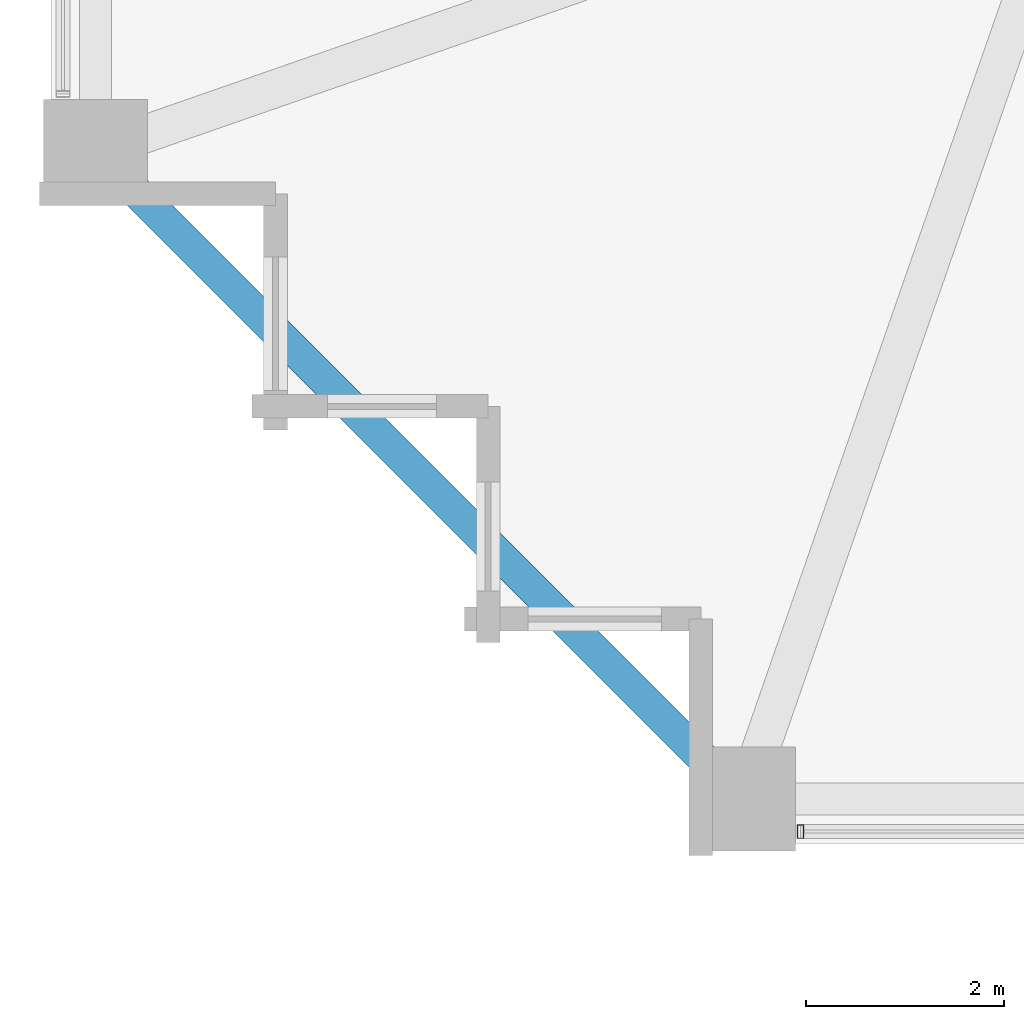
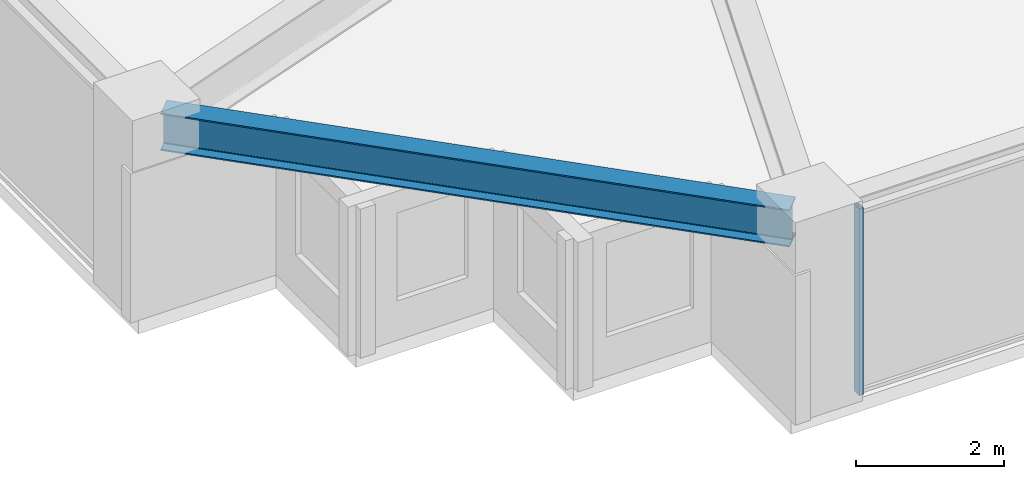
# One storey, part 2 of 38: 1 beam, 1 member, 1 element without a shape of its own.
"""IFC4 building model written with IfcOpenShell, lengths in metres."""

from ifc_helpers import new_model, si_unit, direction, frame, origin, origin_2d, place, context, subcontext, project, spatial, hollow_rectangle, i_section, extrude, material, material_profile, profile_set, type_object, element, aggregate, save


model = new_model("IFC4")

# Units and contexts
model_context = context("Model", 3, precision=1e-05, world=origin(), true_north=direction((0.0, 1.0)))
body_context = subcontext(model_context, "Body", "Model", "MODEL_VIEW")
ifc_project = project(units=[si_unit("LENGTHUNIT", "METRE"), si_unit("AREAUNIT", "SQUARE_METRE"), si_unit("VOLUMEUNIT", "CUBIC_METRE"), si_unit("PLANEANGLEUNIT", "RADIAN"), si_unit("MASSUNIT", "GRAM", prefix="KILO")], contexts=[model_context])

# Site, building, storey
site_placement = place(None, origin())
site = spatial("IfcSite", under=ifc_project, at=site_placement, CompositionType="ELEMENT")
building_placement = place(site_placement, origin())
building = spatial("IfcBuilding", under=site, at=building_placement, Name="Kolvaren Belvedere", CompositionType="ELEMENT")
storey_placement = place(building_placement, frame((0.0, 0.0, 98.60009765625)))
storey = spatial("IfcBuildingStorey", under=building, at=storey_placement, Name="L28", CompositionType="ELEMENT", Elevation=98.60009765625)

# Beam
ifc_material_1 = material(Name="Structural steel ASTM A992 Grade 50", Category="steel")
ifc_material_profile_1 = material_profile(ifc_material_1, i_section(OverallWidth=0.324951171875, OverallDepth=0.615966796875, WebThickness=0.013916015625, FlangeThickness=0.021484375, FilletRadius=0.02001953125, at=origin_2d()), Name="W24X117")
ifc_profile_set_1 = profile_set([ifc_material_profile_1], Name="Structural steel ASTM A992 Grade 50")
beam_type = type_object("IfcBeamType", Name="BM-SPAN-W24X117", PredefinedType="SPANDREL", material=ifc_profile_set_1)
beam_placement = place(storey_placement, frame((-19.782958984375, -13.567138671875, 2.77197265625), z_axis=(0.707106781187, -0.707106781187, 0.0), x_axis=(0.707106781187, 0.707106781187, 0.0)))
element("IfcBeam", 1, at=beam_placement, inside=storey, type_object=beam_type, Name="L28 Perimeter Spandrel W1-S1", PredefinedType="SPANDREL", context=body_context, shape_type="SweptSolid", body=[
    extrude(i_section(OverallWidth=0.324951171875, OverallDepth=0.615966796875, WebThickness=0.013916015625, FlangeThickness=0.021484375, FilletRadius=0.02001953125, at=origin_2d()), origin(), (0.0, 0.0, 1.0), 8.79052734375),
])

# Curtain wall, member
ifc_material_2 = material(Name="Anodised pale-metal aluminium AA 6063-T6", Category="aluminium")
curtain_wall_type = type_object("IfcCurtainWallType", Name="CW-Z2-MID", PredefinedType="NOTDEFINED", material=ifc_material_2)
curtain_wall_placement = place(storey_placement, origin())
curtain_wall = element("IfcCurtainWall", 2, at=curtain_wall_placement, inside=storey, type_object=curtain_wall_type, Name="L28 Unitised Curtain Wall FCW-L28-S2-B2", PredefinedType="NOTDEFINED")
ifc_material_3 = material(Name="Anodised pale-metal aluminium AA 6063-T6", Category="aluminium")
ifc_material_profile_2 = material_profile(ifc_material_3, hollow_rectangle(XDim=0.06494140625, YDim=0.139892578125, WallThickness=0.00390625, at=origin_2d()), Name="ALU-MUL-140X65")
ifc_profile_set_2 = profile_set([ifc_material_profile_2], Name="Anodised pale-metal aluminium AA 6063-T6")
member_type = type_object("IfcMemberType", Name="CW-MUL-140", PredefinedType="MULLION", material=ifc_profile_set_2)
member_placement = place(storey_placement, frame((-12.822509765625, -20.280029296875, 0.0), z_axis=(0.0, 0.0, 1.0), x_axis=(1.0, 0.0, 0.0)))
member = element("IfcMember", 3, at=member_placement, type_object=member_type, Name="FCW-L28-S2-B2 Unitised Mullion 3", PredefinedType="MULLION", context=body_context, shape_type="SweptSolid", body=[
    extrude(hollow_rectangle(XDim=0.06494140625, YDim=0.139892578125, WallThickness=0.00390625, at=origin_2d()), origin(), (0.0, 0.0, 1.0), 3.079833984375),
])
aggregate(curtain_wall, [member])

save(model, "model.ifc")
